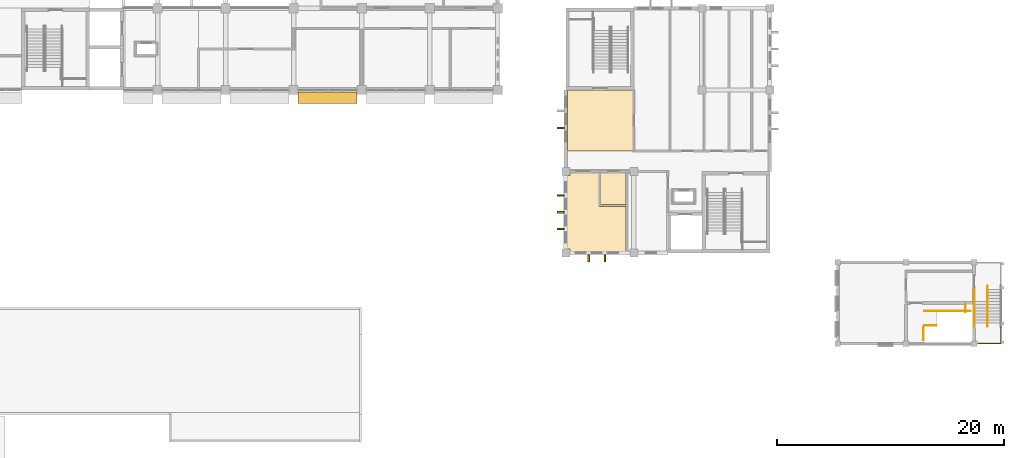
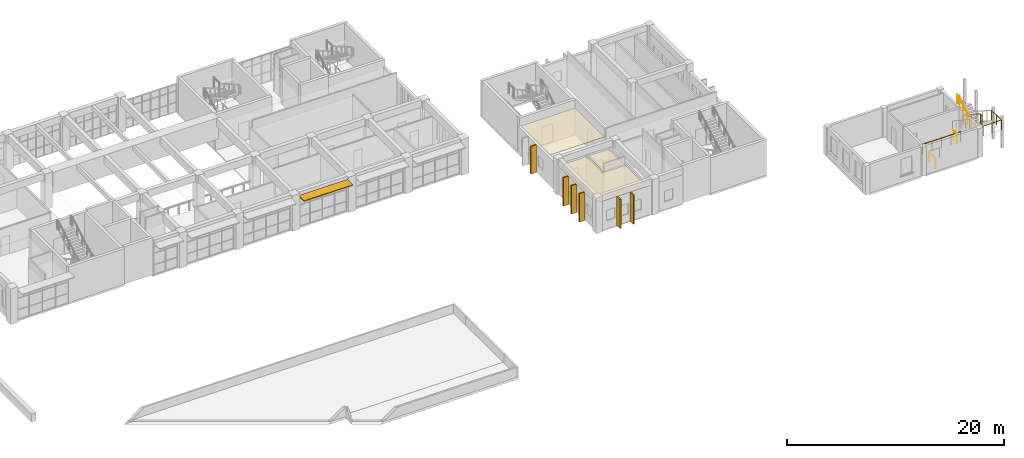
# One storey, part 43 of 47: 8 railings, 7 shading devices, 3 coverings.
"""IFC4 building model written with IfcOpenShell, lengths in metres."""

from ifc_helpers import new_model, si_unit, direction, frame, origin, origin_2d, place, context, subcontext, project, spatial, polyline, rectangle, circle, outline, extrude, material, layer, layer_set, type_object, element, save


model = new_model("IFC4")

# Units and contexts
model_context = context("Model", 3, precision=1e-05, world=origin(), true_north=direction((0.0, 1.0)))
body_context = subcontext(model_context, "Body", "Model", "MODEL_VIEW")
ifc_project = project(units=[si_unit("LENGTHUNIT", "METRE"), si_unit("AREAUNIT", "SQUARE_METRE"), si_unit("VOLUMEUNIT", "CUBIC_METRE"), si_unit("PLANEANGLEUNIT", "RADIAN"), si_unit("MASSUNIT", "GRAM", prefix="KILO")], contexts=[model_context])

# Site, building, storey
site_placement = place(None, origin())
site = spatial("IfcSite", under=ifc_project, at=site_placement, CompositionType="ELEMENT")
building_placement = place(site_placement, origin())
building = spatial("IfcBuilding", under=site, at=building_placement, Name="Laocheng Heights Fire and Rescue Headquarters", CompositionType="ELEMENT")
storey_placement = place(building_placement, frame((0.0, 0.0, 16.800048828125)))
storey = spatial("IfcBuildingStorey", under=building, at=storey_placement, Name="L04", CompositionType="ELEMENT", Elevation=16.800048828125)

# Shading devices
ifc_material_1 = material(Name="Precast concrete C40/50, light warm grey", Category="concrete")
ifc_layer_1 = layer(ifc_material_1, 0.080078125)
ifc_layer_set_1 = layer_set([ifc_layer_1], Name="Precast concrete C40/50, light warm grey")
shading_device_type_1 = type_object("IfcShadingDeviceType", Name="PRECAST BLADE 1000 x 80 BLADE HQ SOUTH", PredefinedType="JALOUSIE", material=ifc_layer_set_1)
shading_device_1_placement = place(storey_placement, frame((69.0, 49.699951171875, 3.559814453125), z_axis=(0.0, 0.0, 1.0), x_axis=(1.0, 0.0, 0.0)))
element("IfcShadingDevice", 1, at=shading_device_1_placement, inside=storey, type_object=shading_device_type_1, Name="BLADE HQ SOUTH L04", PredefinedType="JALOUSIE", context=body_context, shape_type="SweptSolid", body=[
    extrude(rectangle(XDim=5.199951171875, YDim=1.0, at=origin_2d()), origin(), (0.0, 0.0, 1.0), 0.080078125),
])
ifc_material_2 = material(Name="Precast concrete C40/50, light warm grey", Category="concrete")
ifc_layer_2 = layer(ifc_material_2, 0.14990234375)
ifc_layer_set_2 = layer_set([ifc_layer_2], Name="Precast concrete C40/50, light warm grey")
shading_device_type_2 = type_object("IfcShadingDeviceType", Name="PRECAST VERTICAL FIN 150 x 600 DORMITORY", PredefinedType="AWNING", material=ifc_layer_set_2)
for number, where, z_axis, x_axis, name in (
    (2, (89.550048828125, 38.1201171875, 0.0), (0.0, 0.0, 1.0), (1.0, 0.0, 0.0), "FIN CREW L04"),
    (3, (89.550048828125, 39.60009765625, 0.0), (0.0, 0.0, 1.0), (1.0, 0.0, 0.0), "FIN CREW L04"),
    (4, (89.550048828125, 41.080078125, 0.0), (0.0, 0.0, 1.0), (1.0, 0.0, 0.0), "FIN CREW L04"),
):
    element("IfcShadingDevice", number, at=place(storey_placement, frame(where, z_axis=z_axis, x_axis=x_axis)), inside=storey, type_object=shading_device_type_2, Name=name, PredefinedType="AWNING", context=body_context, shape_type="SweptSolid", body=[
        extrude(rectangle(XDim=0.60009765625, YDim=0.14990234375, at=origin_2d()), origin(), (0.0, 0.0, 1.0), 3.199951171875),
    ])
shading_device_2_placement = place(storey_placement, frame((89.550048828125, 47.03759765625, 0.0), z_axis=(0.0, 0.0, 1.0), x_axis=(1.0, 0.0, 0.0)))
element("IfcShadingDevice", 5, at=shading_device_2_placement, inside=storey, type_object=shading_device_type_2, Name="FIN CREW L04", PredefinedType="AWNING", context=body_context, shape_type="SweptSolid", body=[
    extrude(rectangle(XDim=0.60009765625, YDim=0.14990234375, at=origin_2d()), origin(), (0.0, 0.0, 1.0), 3.10009765625),
])
for number, where, z_axis, x_axis, name in (
    (6, (92.030029296875, 35.550048828125, 0.0), (0.0, 0.0, 1.0), (1.0, 0.0, 0.0), "FIN CREW L04"),
    (7, (93.449951171875, 35.550048828125, 0.0), (0.0, 0.0, 1.0), (1.0, 0.0, 0.0), "FIN CREW L04"),
):
    element("IfcShadingDevice", number, at=place(storey_placement, frame(where, z_axis=z_axis, x_axis=x_axis)), inside=storey, type_object=shading_device_type_2, Name=name, PredefinedType="AWNING", context=body_context, shape_type="SweptSolid", body=[
        extrude(rectangle(XDim=0.14990234375, YDim=0.60009765625, at=origin_2d()), origin(), (0.0, 0.0, 1.0), 3.300048828125),
    ])

# Railings
ifc_material_3 = material(Name="Steel Q355B", Category="steel")
railing_type_1 = type_object("IfcRailingType", Name="STAIR GUARD 1100", PredefinedType="GUARDRAIL", material=ifc_material_3)
railing_1_placement = place(storey_placement, frame((122.705078125, 29.6298828125, 0.699951171875)))
element("IfcRailing", 8, at=railing_1_placement, inside=storey, type_object=railing_type_1, Name="Stair T1 guard F6 well edge", PredefinedType="GUARDRAIL", context=body_context, shape_type="SweptSolid", body=[
    extrude(circle(Radius=0.02392578125, at=origin_2d()), frame((0.0, 0.0, 1.076171875), z_axis=(-1.0, 0.0, 0.0), x_axis=(0.0, -1.0, 0.0)), (0.0, 0.0, 1.0), 1.080078125),
    extrude(circle(Radius=0.02099609375, at=origin_2d()), origin(), (0.0, 0.0, 1.0), 1.052001953125),
    extrude(circle(Radius=0.02099609375, at=origin_2d()), frame((-1.080078125, 0.0, 0.0)), (0.0, 0.0, 1.0), 1.052001953125),
])
railing_2_placement = place(storey_placement, frame((125.2451171875, 30.800048828125, 0.699951171875)))
element("IfcRailing", 9, at=railing_2_placement, inside=storey, type_object=railing_type_1, Name="Stair T1 guard F6 tongue edge", PredefinedType="GUARDRAIL", context=body_context, shape_type="SweptSolid", body=[
    extrude(circle(Radius=0.02392578125, at=origin_2d()), frame((0.0, 0.0, 1.076171875), z_axis=(0.0, 1.0, 0.0), x_axis=(-1.0, 0.0, 0.0)), (0.0, 0.0, 1.0), 0.675048828125),
    extrude(circle(Radius=0.02099609375, at=origin_2d()), origin(), (0.0, 0.0, 1.0), 1.052001953125),
    extrude(circle(Radius=0.02099609375, at=origin_2d()), frame((0.0, 0.675048828125, 0.0)), (0.0, 0.0, 1.0), 1.052001953125),
])
railing_3_placement = place(storey_placement, frame((125.679931640625, 30.8798828125, 0.699951171875)))
element("IfcRailing", 10, at=railing_3_placement, inside=storey, type_object=railing_type_1, Name="Stair T1 guard F6 strip edge", PredefinedType="GUARDRAIL", context=body_context, shape_type="SweptSolid", body=[
    extrude(circle(Radius=0.02392578125, at=origin_2d()), frame((0.0, 0.0, 1.076171875), z_axis=(-1.0, 0.0, 0.0), x_axis=(0.0, -1.0, 0.0)), (0.0, 0.0, 1.0), 4.054931640625),
    extrude(circle(Radius=0.02099609375, at=origin_2d()), origin(), (0.0, 0.0, 1.0), 1.052001953125),
    extrude(circle(Radius=0.02099609375, at=origin_2d()), frame((-1.013671875, 0.0, 0.0)), (0.0, 0.0, 1.0), 1.052001953125),
    extrude(circle(Radius=0.02099609375, at=origin_2d()), frame((-2.02734375, 0.0, 0.0)), (0.0, 0.0, 1.0), 1.052001953125),
    extrude(circle(Radius=0.02099609375, at=origin_2d()), frame((-3.041259765625, 0.0, 0.0)), (0.0, 0.0, 1.0), 1.052001953125),
    extrude(circle(Radius=0.02099609375, at=origin_2d()), frame((-4.054931640625, 0.0, 0.0)), (0.0, 0.0, 1.0), 1.052001953125),
])
railing_4_placement = place(storey_placement, frame((121.544921875, 28.320068359375, 0.699951171875)))
element("IfcRailing", 11, at=railing_4_placement, inside=storey, type_object=railing_type_1, Name="Stair T1 guard F6 flight opening", PredefinedType="GUARDRAIL", context=body_context, shape_type="SweptSolid", body=[
    extrude(circle(Radius=0.02392578125, at=origin_2d()), frame((0.0, 0.0, 1.076171875), z_axis=(0.0, 1.0, 0.0), x_axis=(-1.0, 0.0, 0.0)), (0.0, 0.0, 1.0), 1.179931640625),
    extrude(circle(Radius=0.02099609375, at=origin_2d()), origin(), (0.0, 0.0, 1.0), 1.052001953125),
    extrude(circle(Radius=0.02099609375, at=origin_2d()), frame((0.0, 1.179931640625, 0.0)), (0.0, 0.0, 1.0), 1.052001953125),
])
railing_5_placement = place(storey_placement, frame((127.199951171875, 33.10009765625, 0.699951171875)))
element("IfcRailing", 12, at=railing_5_placement, inside=storey, type_object=railing_type_1, Name="Stair T2 guard F6 2", PredefinedType="GUARDRAIL", context=body_context, shape_type="SweptSolid", body=[
    extrude(circle(Radius=0.02392578125, at=origin_2d()), frame((0.0, 0.0, 1.076171875), z_axis=(0.0, -0.841419242076, 0.540382881913), x_axis=(1.0, 0.0, 0.0)), (0.0, 0.0, 1.0), 3.88623046875),
    extrude(circle(Radius=0.02392578125, at=origin_2d()), frame((0.0, -3.27001953125, 3.17626953125), z_axis=(0.0, -1.0, 0.0), x_axis=(1.0, 0.0, 0.0)), (0.0, 0.0, 1.0), 0.300048828125),
    extrude(circle(Radius=0.02099609375, at=origin_2d()), origin(), (0.0, 0.0, 1.0), 1.052001953125),
    extrude(circle(Radius=0.02099609375, at=origin_2d()), frame((0.0, -0.8173828125, 0.52490234375)), (0.0, 0.0, 1.0), 1.052001953125),
    extrude(circle(Radius=0.02099609375, at=origin_2d()), frame((0.0, -1.635009765625, 1.050048828125)), (0.0, 0.0, 1.0), 1.052001953125),
    extrude(circle(Radius=0.02099609375, at=origin_2d()), frame((0.0, -2.45263671875, 1.5751953125)), (0.0, 0.0, 1.0), 1.052001953125),
    extrude(circle(Radius=0.02099609375, at=origin_2d()), frame((0.0, -3.27001953125, 2.10009765625)), (0.0, 0.0, 1.0), 1.052001953125),
    extrude(circle(Radius=0.02099609375, at=origin_2d()), frame((0.0, -3.570068359375, 2.10009765625)), (0.0, 0.0, 1.0), 1.052001953125),
])
railing_6_placement = place(storey_placement, frame((128.3701171875, 29.830078125, 2.800048828125)))
element("IfcRailing", 13, at=railing_6_placement, inside=storey, type_object=railing_type_1, Name="Stair T2 guard F6 half landing", PredefinedType="GUARDRAIL", context=body_context, shape_type="SweptSolid", body=[
    extrude(circle(Radius=0.02392578125, at=origin_2d()), frame((0.0, 0.0, 1.076171875), z_axis=(0.0, -1.0, 0.0), x_axis=(1.0, 0.0, 0.0)), (0.0, 0.0, 1.0), 1.800048828125),
    extrude(circle(Radius=0.02392578125, at=origin_2d()), frame((0.0, -1.800048828125, 1.076171875), z_axis=(-1.0, 0.0, 0.0), x_axis=(0.0, -1.0, 0.0)), (0.0, 0.0, 1.0), 1.97021484375),
    extrude(circle(Radius=0.02099609375, at=origin_2d()), origin(), (0.0, 0.0, 1.0), 1.052001953125),
    extrude(circle(Radius=0.02099609375, at=origin_2d()), frame((0.0, -0.89990234375, 0.0)), (0.0, 0.0, 1.0), 1.052001953125),
    extrude(circle(Radius=0.02099609375, at=origin_2d()), frame((0.0, -1.800048828125, 0.0)), (0.0, 0.0, 1.0), 1.052001953125),
    extrude(circle(Radius=0.02099609375, at=origin_2d()), frame((-0.985107421875, -1.800048828125, 0.0)), (0.0, 0.0, 1.0), 1.052001953125),
    extrude(circle(Radius=0.02099609375, at=origin_2d()), frame((-1.97021484375, -1.800048828125, 0.0)), (0.0, 0.0, 1.0), 1.052001953125),
])
ifc_material_4 = material(Name="Steel Q355B", Category="steel")
railing_type_2 = type_object("IfcRailingType", Name="STAIR HANDRAIL 920", PredefinedType="HANDRAIL", material=ifc_material_4)
railing_7_placement = place(storey_placement, frame((126.030029296875, 32.97998046875, 0.699951171875)))
element("IfcRailing", 14, at=railing_7_placement, inside=storey, type_object=railing_type_2, Name="Stair T2 handrail F6 3", PredefinedType="HANDRAIL", context=body_context, shape_type="SweptSolid", body=[
    extrude(circle(Radius=0.02392578125, at=origin_2d()), frame((0.0, 0.0, 0.89599609375), z_axis=(0.0, -0.832030451194, 0.554729959787), x_axis=(1.0, 0.0, 0.0)), (0.0, 0.0, 1.0), 3.785888671875),
    extrude(circle(Radius=0.02392578125, at=origin_2d()), frame((0.0, -3.14990234375, 2.99609375), z_axis=(0.0, -1.0, 0.0), x_axis=(1.0, 0.0, 0.0)), (0.0, 0.0, 1.0), 0.300048828125),
    extrude(circle(Radius=0.02099609375, at=origin_2d()), origin(), (0.0, 0.0, 1.0), 0.871826171875),
    extrude(circle(Radius=0.02099609375, at=origin_2d()), frame((0.0, -0.78759765625, 0.52490234375)), (0.0, 0.0, 1.0), 0.871826171875),
    extrude(circle(Radius=0.02099609375, at=origin_2d()), frame((0.0, -1.574951171875, 1.050048828125)), (0.0, 0.0, 1.0), 0.871826171875),
    extrude(circle(Radius=0.02099609375, at=origin_2d()), frame((0.0, -2.3623046875, 1.5751953125)), (0.0, 0.0, 1.0), 0.871826171875),
    extrude(circle(Radius=0.02099609375, at=origin_2d()), frame((0.0, -3.14990234375, 2.10009765625)), (0.0, 0.0, 1.0), 0.871826171875),
    extrude(circle(Radius=0.02099609375, at=origin_2d()), frame((0.0, -3.449951171875, 2.10009765625)), (0.0, 0.0, 1.0), 0.871826171875),
])
railing_8_placement = place(storey_placement, frame((126.030029296875, 29.530029296875, 2.800048828125)))
element("IfcRailing", 15, at=railing_8_placement, inside=storey, type_object=railing_type_2, Name="Stair T2 handrail F6 4", PredefinedType="HANDRAIL", context=body_context, shape_type="SweptSolid", body=[
    extrude(circle(Radius=0.02392578125, at=origin_2d()), frame((0.0, 0.0, 0.89599609375), z_axis=(0.0, 0.842561281479, 0.538600489186), x_axis=(-1.0, 0.0, 0.0)), (0.0, 0.0, 1.0), 2.59912109375),
    extrude(circle(Radius=0.02392578125, at=origin_2d()), frame((0.0, 2.18994140625, 2.2958984375), z_axis=(0.0, 1.0, 0.0), x_axis=(-1.0, 0.0, 0.0)), (0.0, 0.0, 1.0), 0.300048828125),
    extrude(circle(Radius=0.02099609375, at=origin_2d()), origin(), (0.0, 0.0, 1.0), 0.871826171875),
    extrude(circle(Radius=0.02099609375, at=origin_2d()), frame((0.0, 0.72998046875, 0.466552734375)), (0.0, 0.0, 1.0), 0.871826171875),
    extrude(circle(Radius=0.02099609375, at=origin_2d()), frame((0.0, 1.4599609375, 0.933349609375)), (0.0, 0.0, 1.0), 0.871826171875),
    extrude(circle(Radius=0.02099609375, at=origin_2d()), frame((0.0, 2.18994140625, 1.39990234375)), (0.0, 0.0, 1.0), 0.871826171875),
    extrude(circle(Radius=0.02099609375, at=origin_2d()), frame((0.0, 2.489990234375, 1.39990234375)), (0.0, 0.0, 1.0), 0.871826171875),
])

# Coverings
ifc_material_5 = material(Name="Mineral fibre ceiling tile")
ifc_layer_3 = layer(ifc_material_5, 0.0400390625)
ifc_layer_set_3 = layer_set([ifc_layer_3], Name="Mineral fibre ceiling tile")
covering_type = type_object("IfcCoveringType", Name="SUSPENDED CEILING MINERAL FIBRE TILE CREW WING", PredefinedType="CEILING", material=ifc_layer_set_3)
covering_1_placement = place(storey_placement, frame((0.0, 0.0, 3.0)))
element("IfcCovering", 16, at=covering_1_placement, inside=storey, type_object=covering_type, Name="Stair Lobby ceiling", PredefinedType="CEILING", context=body_context, shape_type="SweptSolid", body=[
    extrude(outline(polyline([(95.925048828125, 45.0), (90.14990234375, 45.0), (90.14990234375, 50.39990234375), (95.925048828125, 50.39990234375), (95.925048828125, 45.0)])), origin(), (0.0, 0.0, 1.0), 0.0400390625),
])
covering_2_placement = place(storey_placement, frame((0.0, 0.0, 3.0)))
element("IfcCovering", 17, at=covering_2_placement, inside=storey, type_object=covering_type, Name="Hose Training Room ceiling", PredefinedType="CEILING", context=body_context, shape_type="SweptSolid", body=[
    extrude(outline(polyline([(90.35009765625, 36.14990234375), (90.35009765625, 36.35009765625), (90.14990234375, 36.35009765625), (90.14990234375, 42.85009765625), (90.35009765625, 42.85009765625), (90.35009765625, 43.125), (92.925048828125, 43.125), (92.925048828125, 40.125), (93.074951171875, 40.125), (95.324951171875, 40.125), (95.324951171875, 36.14990234375), (90.35009765625, 36.14990234375)])), origin(), (0.0, 0.0, 1.0), 0.0400390625),
])
covering_3_placement = place(storey_placement, frame((0.0, 0.0, 3.0)))
element("IfcCovering", 18, at=covering_3_placement, inside=storey, type_object=covering_type, Name="Accessible WC ceiling", PredefinedType="CEILING", context=body_context, shape_type="SweptSolid", body=[
    extrude(outline(polyline([(95.324951171875, 40.27490234375), (93.074951171875, 40.27490234375), (93.074951171875, 43.125), (95.324951171875, 43.125), (95.324951171875, 40.27490234375)])), origin(), (0.0, 0.0, 1.0), 0.0400390625),
])

save(model, "model.ifc")
